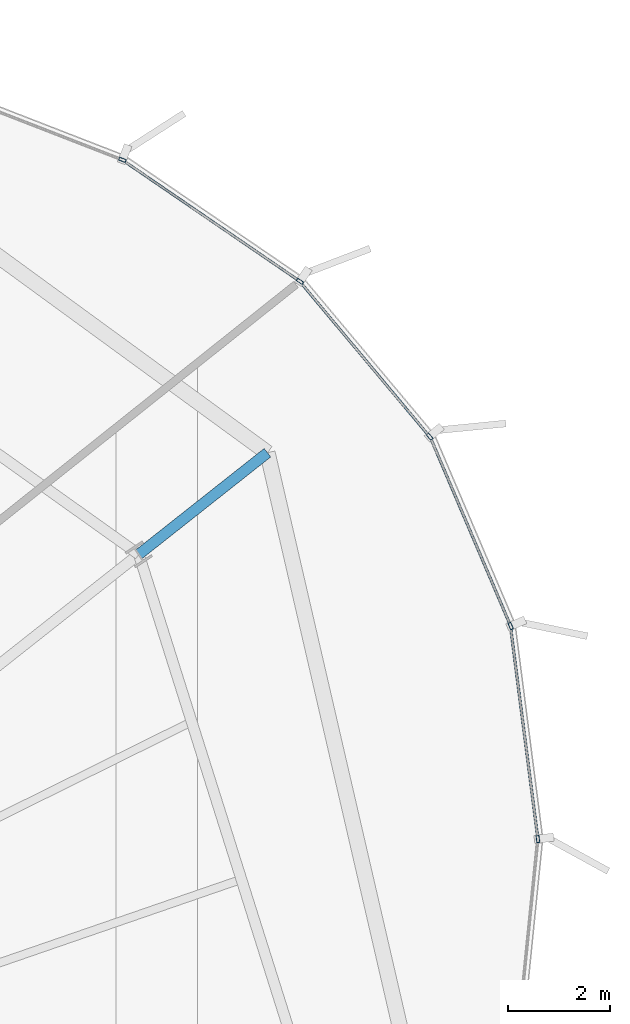
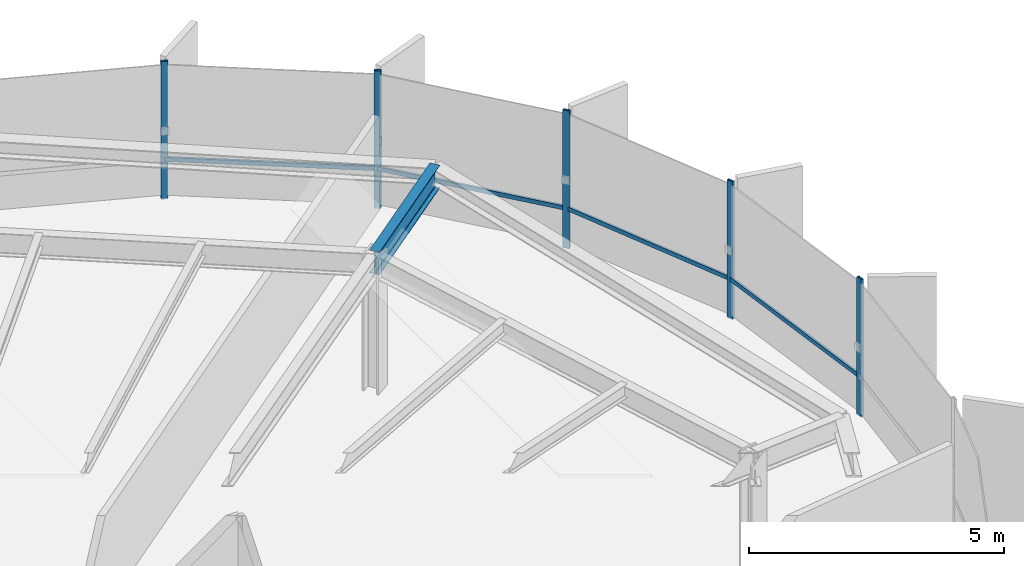
# One storey, part 23 of 32: 9 members, 1 beam, 2 elements without a shape of their own.
"""IFC4 building model written with IfcOpenShell, lengths in metres."""

from ifc_helpers import new_model, si_unit, direction, frame, origin, origin_2d, place, context, subcontext, project, spatial, hollow_rectangle, i_section, extrude, source, transform, mapped, material, layer, layer_set, material_profile, profile_set, type_object, element, aggregate, save


model = new_model("IFC4")

# Units and contexts
model_context = context("Model", 3, precision=1e-05, world=origin(), true_north=direction((0.0, 1.0)))
body_context = subcontext(model_context, "Body", "Model", "MODEL_VIEW")
ifc_project = project(units=[si_unit("LENGTHUNIT", "METRE"), si_unit("AREAUNIT", "SQUARE_METRE"), si_unit("VOLUMEUNIT", "CUBIC_METRE"), si_unit("PLANEANGLEUNIT", "RADIAN"), si_unit("MASSUNIT", "GRAM", prefix="KILO"), si_unit("THERMODYNAMICTEMPERATUREUNIT", "KELVIN")], contexts=[model_context])

# Site, building, storey
site_placement = place(None, origin())
site = spatial("IfcSite", under=ifc_project, at=site_placement, CompositionType="ELEMENT")
building_placement = place(site_placement, origin())
building = spatial("IfcBuilding", under=site, at=building_placement, Name="Kethvar Cultural Tower", CompositionType="ELEMENT")
storey_placement = place(building_placement, frame((0.0, 0.0, 160.75)))
storey = spatial("IfcBuildingStorey", under=building, at=storey_placement, Name="L41", CompositionType="ELEMENT", Elevation=160.75)

# Beam
ifc_material_1 = material(Name="Steel S355J2", Category="steel")
ifc_material_profile_1 = material_profile(ifc_material_1, i_section(OverallWidth=0.2099609375, OverallDepth=0.550048828125, WebThickness=0.010986328125, FlangeThickness=0.01708984375, FilletRadius=0.02392578125, at=origin_2d()), Name="Steel S355J2 — IPE550")
ifc_profile_set_1 = profile_set([ifc_material_profile_1], Name="Steel S355J2 — IPE550")
beam_type = type_object("IfcBeamType", Name="BM-IPE550", PredefinedType="BEAM", material=ifc_profile_set_1)
shared_shape_1 = source(origin(), body_context, "Body", "SweptSolid", [
    extrude(i_section(OverallWidth=0.2099609375, OverallDepth=0.550048828125, WebThickness=0.010986328125, FlangeThickness=0.01708984375, FilletRadius=0.02392578125, at=origin_2d()), origin(), (0.0, 0.0, 1.0), 3.2001953125),
])
beam_placement = place(storey_placement, frame((68.568603515625, 42.34521484375, 3.02294921875), z_axis=(0.784650322996, 0.619938602301, 0.0), x_axis=(-0.619938602301, 0.784650322996, 0.0)))
element("IfcBeam", 1, at=beam_placement, inside=storey, type_object=beam_type, Name="L41 Perimeter Cantilever Beam RC-02", PredefinedType="BEAM", context=body_context, shape_type="MappedRepresentation", body=[
    mapped(shared_shape_1, transform((0.0, 0.0, 0.0), scale=1.0)),
])

# Curtain wall, members
ifc_material_2 = material(Name="Aluminium 6063-T6", Category="aluminium")
ifc_layer = layer(ifc_material_2, 0.179931640625, Name="Aluminium 6063-T6", Category="aluminium")
ifc_layer_set = layer_set([ifc_layer], Name="Aluminium 6063-T6 (180 mm)")
curtain_wall_type = type_object("IfcCurtainWallType", Name="CW-SYS-04-Z34", PredefinedType="NOTDEFINED", material=ifc_layer_set)
curtain_wall_1_placement = place(storey_placement, origin())
curtain_wall_1 = element("IfcCurtainWall", 2, at=curtain_wall_1_placement, inside=storey, type_object=curtain_wall_type, Name="L41 Curtain Wall Run 01", PredefinedType="NOTDEFINED")
ifc_material_profile_2 = material_profile(ifc_material_2, hollow_rectangle(XDim=0.06005859375, YDim=0.139892578125, WallThickness=0.0048828125, at=origin_2d()), Name="Aluminium 6063-T6 — RHS140x60x5")
ifc_profile_set_2 = profile_set([ifc_material_profile_2], Name="Aluminium 6063-T6 — RHS140x60x5")
member_type_1 = type_object("IfcMemberType", Name="CW-SYS-04-Z34-MUL", PredefinedType="MULLION", material=ifc_profile_set_2)
shared_shape_2 = source(origin(), body_context, "Body", "SweptSolid", [
    extrude(hollow_rectangle(XDim=0.06005859375, YDim=0.139892578125, WallThickness=0.0048828125, at=origin_2d()), origin(), (0.0, 0.0, 1.0), 3.300048828125),
])
member_1_placement = place(storey_placement, frame((74.2451171875, 44.644775390625, 0.0), z_axis=(0.0, 0.0, 1.0), x_axis=(-0.766761965719, -0.641931529001, 0.0)))
member_1 = element("IfcMember", 3, at=member_1_placement, type_object=member_type_1, Name="CW-L41-R01 Mullion 1", PredefinedType="MULLION", context=body_context, shape_type="MappedRepresentation", body=[
    mapped(shared_shape_2, transform((0.0, 0.0, 0.0), scale=1.0)),
])
member_2_placement = place(storey_placement, frame((71.71337890625, 47.675048828125, 0.0), z_axis=(0.0, 0.0, 1.0), x_axis=(-0.564203511617, -0.825635753513, 0.0)))
member_2 = element("IfcMember", 4, at=member_2_placement, type_object=member_type_1, Name="CW-L41-R01 Mullion 2", PredefinedType="MULLION", context=body_context, shape_type="MappedRepresentation", body=[
    mapped(shared_shape_2, transform((0.0, 0.0, 0.0), scale=1.0)),
])
member_3_placement = place(storey_placement, frame((68.2490234375, 50.0458984375, 0.0), z_axis=(0.0, 0.0, 1.0), x_axis=(-0.362031338646, -0.932165923985, 0.0)))
member_3 = element("IfcMember", 5, at=member_3_placement, type_object=member_type_1, Name="CW-L41-R01 Mullion 3", PredefinedType="MULLION", context=body_context, shape_type="MappedRepresentation", body=[
    mapped(shared_shape_2, transform((0.0, 0.0, 0.0), scale=1.0)),
])

curtain_wall_2_placement = place(storey_placement, origin())
curtain_wall_2 = element("IfcCurtainWall", 6, at=curtain_wall_2_placement, inside=storey, type_object=curtain_wall_type, Name="L41 Curtain Wall Run 06", PredefinedType="NOTDEFINED")
member_4_placement = place(storey_placement, frame((76.359375, 36.78662109375, 0.0), z_axis=(0.0, 0.0, 1.0), x_axis=(-0.991789877177, -0.12787822148, 0.0)))
member_4 = element("IfcMember", 7, at=member_4_placement, type_object=member_type_1, Name="CW-L41-R06 Mullion 5", PredefinedType="MULLION", context=body_context, shape_type="MappedRepresentation", body=[
    mapped(shared_shape_2, transform((0.0, 0.0, 0.0), scale=1.0)),
])
member_5_placement = place(storey_placement, frame((75.8271484375, 40.946044921875, 0.0), z_axis=(0.0, 0.0, 1.0), x_axis=(-0.920054152888, -0.391791214493, 0.0)))
member_5 = element("IfcMember", 8, at=member_5_placement, type_object=member_type_1, Name="CW-L41-R06 Mullion 6", PredefinedType="MULLION", context=body_context, shape_type="MappedRepresentation", body=[
    mapped(shared_shape_2, transform((0.0, 0.0, 0.0), scale=1.0)),
])

# Member
ifc_material_profile_3 = material_profile(ifc_material_2, hollow_rectangle(XDim=0.050048828125, YDim=0.10009765625, WallThickness=0.00390625, at=origin_2d()), Name="Aluminium 6063-T6 — RHS100x50x4")
ifc_profile_set_3 = profile_set([ifc_material_profile_3], Name="Aluminium 6063-T6 — RHS100x50x4")
member_type_2 = type_object("IfcMemberType", Name="CW-SYS-04-Z34-TRN", PredefinedType="USERDEFINED", material=ifc_profile_set_3)
shared_shape_3 = source(origin(), body_context, "Body", "SweptSolid", [
    extrude(hollow_rectangle(XDim=0.050048828125, YDim=0.10009765625, WallThickness=0.00390625, at=origin_2d()), origin(), (0.0, 0.0, 1.0), 3.930908203125),
])
member_6_placement = place(storey_placement, frame((74.2421875, 44.64794921875, 0.949951171875), z_axis=(-0.641893347211, 0.766793929818, 0.0), x_axis=(-0.766793929818, -0.641893347211, 0.0)))
member_6 = element("IfcMember", 9, at=member_6_placement, type_object=member_type_2, Name="CW-L41-R01 Transom 1", ObjectType="TRANSOM", PredefinedType="USERDEFINED", context=body_context, shape_type="MappedRepresentation", body=[
    mapped(shared_shape_3, transform((0.0, 0.0, 0.0), scale=1.0)),
])

shared_shape_4 = source(origin(), body_context, "Body", "SweptSolid", [
    extrude(hollow_rectangle(XDim=0.050048828125, YDim=0.10009765625, WallThickness=0.00390625, at=origin_2d()), origin(), (0.0, 0.0, 1.0), 4.136474609375),
])
member_7_placement = place(storey_placement, frame((71.677734375, 47.699462890625, 0.949951171875), z_axis=(-0.825648765481, 0.564184469886, 0.0), x_axis=(-0.564184469886, -0.825648765481, 0.0)))
member_7 = element("IfcMember", 10, at=member_7_placement, type_object=member_type_2, Name="CW-L41-R01 Transom 2", ObjectType="TRANSOM", PredefinedType="USERDEFINED", context=body_context, shape_type="MappedRepresentation", body=[
    mapped(shared_shape_4, transform((0.0, 0.0, 0.0), scale=1.0)),
])

aggregate(curtain_wall_1, [member_1, member_2, member_3, member_6, member_7])

member_8_placement = place(storey_placement, frame((76.353759765625, 36.82958984375, 0.949951171875), z_axis=(-0.127898301179, 0.991787287958, 0.0), x_axis=(-0.991787287958, -0.127898301179, 0.0)))
member_8 = element("IfcMember", 11, at=member_8_placement, type_object=member_type_2, Name="CW-L41-R06 Transom 5", ObjectType="TRANSOM", PredefinedType="USERDEFINED", context=body_context, shape_type="MappedRepresentation", body=[
    mapped(shared_shape_4, transform((0.0, 0.0, 0.0), scale=1.0)),
])

shared_shape_5 = source(origin(), body_context, "Body", "SweptSolid", [
    extrude(hollow_rectangle(XDim=0.050048828125, YDim=0.10009765625, WallThickness=0.00390625, at=origin_2d()), origin(), (0.0, 0.0, 1.0), 3.93115234375),
])
member_9_placement = place(storey_placement, frame((75.810302734375, 40.985595703125, 0.949951171875), z_axis=(-0.391804630822, 0.92004843963, 0.0), x_axis=(-0.92004843963, -0.391804630822, 0.0)))
member_9 = element("IfcMember", 12, at=member_9_placement, type_object=member_type_2, Name="CW-L41-R06 Transom 6", ObjectType="TRANSOM", PredefinedType="USERDEFINED", context=body_context, shape_type="MappedRepresentation", body=[
    mapped(shared_shape_5, transform((0.0, 0.0, 0.0), scale=1.0)),
])

aggregate(curtain_wall_2, [member_4, member_5, member_8, member_9])

save(model, "model.ifc")
